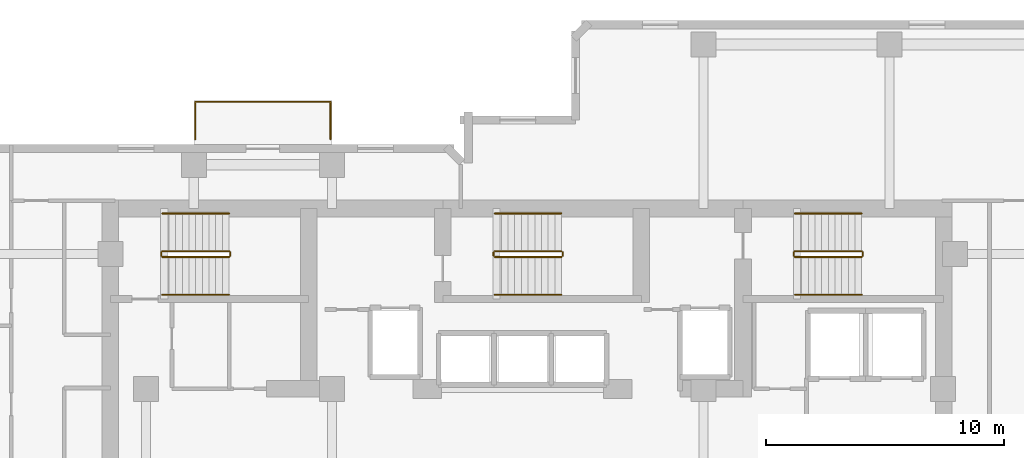
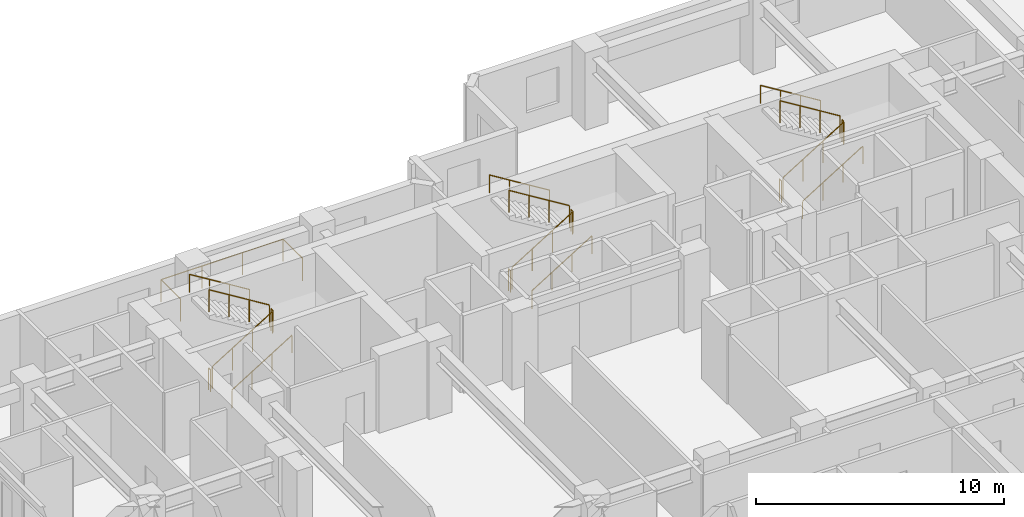
# One storey, part 11 of 11: 19 railings.
"""IFC4 building model written with IfcOpenShell, lengths in metres."""

import ifcopenshell
import ifcopenshell.guid

model = None  # the IFC model being written
_history = None  # IfcOwnerHistory: only IFC2X3 demands one
_inside = {}  # id of a spatial element -> (the spatial element, [elements in it])
_under = {}  # id of a project, library or spatial element -> (it, [spatial elements below it])
_declared = {}  # id of a project -> (the project, [libraries it declares])
_typed = {}  # id of a type object -> (the type object, [elements of that type])
_made_of = {}  # id of a material, layer set ... -> (it, [elements and type objects made of it])


def new_model(schema):
    """Start an empty IFC model of exactly this schema.

    Asked for "IFC4X3", IfcOpenShell would pick the latest addendum, in which some entities
    have other attributes; the version numbers below select the first issue.
    IFC2X3 requires an IfcOwnerHistory on every rooted entity: one is made here for all.
    """
    global model, _history
    if schema == "IFC4X3":
        model = ifcopenshell.file(schema_version=(4, 3, 0, 0))
    else:
        model = ifcopenshell.file(schema=schema)
    _inside.clear()
    _under.clear()
    _declared.clear()
    _typed.clear()
    _made_of.clear()
    _history = None
    if model.schema == "IFC2X3":
        org = make("IfcOrganization", Name="unknown")
        user = make(
            "IfcPersonAndOrganization",
            ThePerson=make("IfcPerson", FamilyName="unknown"),
            TheOrganization=org,
        )
        app = make(
            "IfcApplication",
            ApplicationDeveloper=org,
            Version="unknown",
            ApplicationFullName="unknown",
            ApplicationIdentifier="unknown",
        )
        _history = make(
            "IfcOwnerHistory",
            OwningUser=user,
            OwningApplication=app,
            ChangeAction="ADDED",
            CreationDate=0,
        )
    return model


def make(cls, **values):
    """One entity of the class cls with the attributes given. An attribute that is None is left unset."""
    return model.create_entity(
        cls, **{name: value for name, value in values.items() if value is not None}
    )


def rooted(cls, **values):
    """An entity with a GlobalId (a new one), such as an element, a storey or a relation."""
    return make(cls, GlobalId=ifcopenshell.guid.new(), OwnerHistory=_history, **values)


def si_unit(unit_type, name, prefix=None):
    """IfcSIUnit, for example si_unit("LENGTHUNIT", "METRE", prefix="MILLI")."""
    return make("IfcSIUnit", UnitType=unit_type, Prefix=prefix, Name=name)


def assignment(units):
    """IfcUnitAssignment: the units of a project."""
    return None if units is None else make("IfcUnitAssignment", Units=units)


def point(xyz):
    """IfcCartesianPoint."""
    return None if xyz is None else make("IfcCartesianPoint", Coordinates=xyz)


def direction(xyz):
    """IfcDirection."""
    return None if xyz is None else make("IfcDirection", DirectionRatios=xyz)


def frame(location, z_axis=None, x_axis=None):
    """IfcAxis2Placement3D, a coordinate frame: its origin and axes. An axis left out is left unset."""
    return make(
        "IfcAxis2Placement3D",
        Location=point(location),
        Axis=direction(z_axis),
        RefDirection=direction(x_axis),
    )


def frame_2d(location, x_axis=None):
    """IfcAxis2Placement2D, a coordinate frame in the plane: its origin and x axis."""
    return make(
        "IfcAxis2Placement2D", Location=point(location), RefDirection=direction(x_axis)
    )


def origin():
    """The frame at (0, 0, 0) with its axes left unset."""
    return frame((0.0, 0.0, 0.0))


def origin_2d():
    """The frame at (0, 0) in the plane with its x axis left unset."""
    return frame_2d((0.0, 0.0))


def place(relative_to, where):
    """IfcLocalPlacement: puts the frame where relative to a parent placement (None: the world)."""
    return make(
        "IfcLocalPlacement", PlacementRelTo=relative_to, RelativePlacement=where
    )


def context(
    kind, dimensions, precision=None, world=None, true_north=None, identifier=None
):
    """IfcGeometricRepresentationContext, for example the 3D "Model" context."""
    return make(
        "IfcGeometricRepresentationContext",
        ContextIdentifier=identifier,
        ContextType=kind,
        CoordinateSpaceDimension=dimensions,
        Precision=precision,
        WorldCoordinateSystem=world,
        TrueNorth=true_north,
    )


def subcontext(parent, identifier, kind, view, scale=None):
    """IfcGeometricRepresentationSubContext, for example "Body" below "Model"."""
    return make(
        "IfcGeometricRepresentationSubContext",
        ContextIdentifier=identifier,
        ContextType=kind,
        ParentContext=parent,
        TargetScale=scale,
        TargetView=view,
    )


def project(units=None, contexts=None):
    """IfcProject with its units and contexts."""
    return rooted(
        "IfcProject",
        Name="project",
        RepresentationContexts=contexts,
        UnitsInContext=assignment(units),
    )


def spatial(cls, under=None, at=None, **own):
    """A site, building, storey or space (cls), placed at a placement, below another one or the project."""
    s = rooted(cls, ObjectPlacement=at, **own)
    if under is not None:
        _under.setdefault(under.id(), (under, []))[1].append(s)
    return s


def profile(cls, at=None, kind="AREA", **sizes):
    """A parametric profile (cls). Its sizes go by their IFC names, for example OverallWidth=200.0."""
    return make(cls, ProfileType=kind, Position=at, **sizes)


def circle(**sizes):
    """IfcCircleProfileDef."""
    return profile("IfcCircleProfileDef", **sizes)


def extrude(swept, where, along, depth):
    """IfcExtrudedAreaSolid: the profile swept, set in the frame where, extruded along a direction by depth."""
    return make(
        "IfcExtrudedAreaSolid",
        SweptArea=swept,
        Position=where,
        ExtrudedDirection=direction(along),
        Depth=depth,
    )


def shape(context_of_items, identifier, shape_type, items):
    """IfcShapeRepresentation: the items that make up one representation, for example the "Body"."""
    return make(
        "IfcShapeRepresentation",
        ContextOfItems=context_of_items,
        RepresentationIdentifier=identifier,
        RepresentationType=shape_type,
        Items=items,
    )


def material(Name=None, Category=None):
    """IfcMaterial."""
    return make("IfcMaterial", Name=Name, Category=Category)


def made_of(thing, what):
    """Note that an element or type object is made of a material, layer set ...; save() writes the relation."""
    if what is not None:
        _made_of.setdefault(what.id(), (what, []))[1].append(thing)
    return thing


def type_object(cls, material=None, **own):
    """A type object (cls), such as IfcWallType, which elements share."""
    return made_of(rooted(cls, **own), material)


def element(
    cls,
    number,
    at=None,
    inside=None,
    cuts=None,
    type_object=None,
    material=None,
    context=None,
    identifier="Body",
    shape_type=None,
    held_by="IfcProductDefinitionShape",
    body=None,
    shapes=None,
    **own,
):
    """One element of the class cls, such as IfcWall. Its Tag is "e" and its number.

    at: its placement. inside: the storey or other place that contains it. cuts: it is an
    opening in that element (IfcRelVoidsElement). A single representation is given by context,
    identifier, shape_type and body (its items); several are given by shapes. held_by: the class
    of the entity that holds the representations. save() writes the other relations.
    """
    e = rooted(cls, Tag="e%d" % number, ObjectPlacement=at, **own)
    if body is not None:
        shapes = [shape(context, identifier, shape_type, body)]
    if shapes is not None:
        e.Representation = make(held_by, Representations=shapes)
    if inside is not None:
        _inside.setdefault(inside.id(), (inside, []))[1].append(e)
    if cuts is not None:
        rooted(
            "IfcRelVoidsElement", RelatingBuildingElement=cuts, RelatedOpeningElement=e
        )
    if type_object is not None:
        _typed.setdefault(type_object.id(), (type_object, []))[1].append(e)
    return made_of(e, material)


def aggregate(whole, parts):
    """IfcRelAggregates: a whole, such as a stair, and the parts it consists of."""
    return rooted("IfcRelAggregates", RelatingObject=whole, RelatedObjects=parts)


def save(model, path):
    """Write the relations noted so far, then the file.

    IfcRelAggregates (storeys below a building ...), IfcRelContainedInSpatialStructure (elements
    in a storey), IfcRelDefinesByType, IfcRelAssociatesMaterial and IfcRelDeclares: one each for
    every whole, place, type object, material and project.
    """
    for whole, parts in _under.values():
        aggregate(whole, parts)
    for where, things in _inside.values():
        rooted(
            "IfcRelContainedInSpatialStructure",
            RelatedElements=things,
            RelatingStructure=where,
        )
    for kind, things in _typed.values():
        rooted("IfcRelDefinesByType", RelatedObjects=things, RelatingType=kind)
    for what, things in _made_of.values():
        rooted("IfcRelAssociatesMaterial", RelatedObjects=things, RelatingMaterial=what)
    for by, libraries in _declared.values():
        rooted("IfcRelDeclares", RelatingContext=by, RelatedDefinitions=libraries)
    model.write(path)


model = new_model("IFC4")

# Units and contexts
model_context = context("Model", 3, precision=1e-05, world=origin(), true_north=direction((0.0, 1.0)))
body_context = subcontext(model_context, "Body", "Model", "MODEL_VIEW")
ifc_project = project(units=[si_unit("LENGTHUNIT", "METRE"), si_unit("AREAUNIT", "SQUARE_METRE"), si_unit("VOLUMEUNIT", "CUBIC_METRE"), si_unit("PLANEANGLEUNIT", "RADIAN"), si_unit("MASSUNIT", "GRAM", prefix="KILO")], contexts=[model_context])

# Site, building, storey
site_placement = place(None, origin())
site = spatial("IfcSite", under=ifc_project, at=site_placement, CompositionType="ELEMENT")
building_placement = place(site_placement, origin())
building = spatial("IfcBuilding", under=site, at=building_placement, Name="Kestravale Grand Hotel", CompositionType="ELEMENT")
storey_placement = place(building_placement, frame((0.0, 0.0, 180.199951171875)))
storey = spatial("IfcBuildingStorey", under=building, at=storey_placement, Name="L45", CompositionType="ELEMENT", Elevation=180.199951171875)

# Railings
ifc_material_1 = material(Name="Champagne-bronze stainless steel and laminated glass guard", Category="steel")
railing_type_1 = type_object("IfcRailingType", Name="RL-EXT-1100", PredefinedType="GUARDRAIL", material=ifc_material_1)
railing_1_placement = place(storey_placement, frame((25.4599609375, 43.219970703125, 0.0)))
element("IfcRailing", 1, at=railing_1_placement, inside=storey, type_object=railing_type_1, Name="L45 outdoor terrace guard 1", PredefinedType="GUARDRAIL", context=body_context, shape_type="SweptSolid", body=[
    extrude(circle(Radius=0.02392578125, at=origin_2d()), frame((0.0, 0.0, 1.09619140625), z_axis=(0.0, 1.0, 0.0), x_axis=(-1.0, 0.0, 0.0)), (0.0, 0.0, 1.0), 1.570068359375),
    extrude(circle(Radius=0.02392578125, at=origin_2d()), frame((0.0, 1.570068359375, 1.09619140625), z_axis=(1.0, 0.0, 0.0), x_axis=(0.0, 1.0, 0.0)), (0.0, 0.0, 1.0), 5.679931640625),
    extrude(circle(Radius=0.02392578125, at=origin_2d()), frame((5.679931640625, 1.570068359375, 1.09619140625), z_axis=(0.0, -1.0, 0.0), x_axis=(1.0, 0.0, 0.0)), (0.0, 0.0, 1.0), 1.570068359375),
    extrude(circle(Radius=0.02099609375, at=origin_2d()), origin(), (0.0, 0.0, 1.0), 1.072021484375),
    extrude(circle(Radius=0.02099609375, at=origin_2d()), frame((0.0, 1.570068359375, 0.0)), (0.0, 0.0, 1.0), 1.072021484375),
    extrude(circle(Radius=0.02099609375, at=origin_2d()), frame((1.893310546875, 1.570068359375, 0.0)), (0.0, 0.0, 1.0), 1.072021484375),
    extrude(circle(Radius=0.02099609375, at=origin_2d()), frame((3.78662109375, 1.570068359375, 0.0)), (0.0, 0.0, 1.0), 1.072021484375),
    extrude(circle(Radius=0.02099609375, at=origin_2d()), frame((5.679931640625, 1.570068359375, 0.0)), (0.0, 0.0, 1.0), 1.072021484375),
    extrude(circle(Radius=0.02099609375, at=origin_2d()), frame((5.679931640625, 0.0, 0.0)), (0.0, 0.0, 1.0), 1.072021484375),
])
ifc_material_2 = material(Name="Painted tubular steel stair well guard", Category="steel")
railing_type_2 = type_object("IfcRailingType", Name="RL-ST-GRD1100", PredefinedType="GUARDRAIL", material=ifc_material_2)
railing_2_placement = place(storey_placement, frame((24.080078125, 38.280029296875, 0.1728515625)))
element("IfcRailing", 2, at=railing_2_placement, inside=storey, type_object=railing_type_2, Name="L45 ST-1 stair guard 1", PredefinedType="GUARDRAIL", context=body_context, shape_type="SweptSolid", body=[
    extrude(circle(Radius=0.02392578125, at=origin_2d()), frame((0.0, 0.0, 1.076171875), z_axis=(0.851069175582, 0.0, 0.525053576669), x_axis=(0.0, 1.0, 0.0)), (0.0, 0.0, 1.0), 3.289794921875),
    extrude(circle(Radius=0.02099609375, at=origin_2d()), origin(), (0.0, 0.0, 1.0), 1.052001953125),
    extrude(circle(Radius=0.02099609375, at=origin_2d()), frame((0.933349609375, 0.0, 0.57568359375)), (0.0, 0.0, 1.0), 1.052001953125),
    extrude(circle(Radius=0.02099609375, at=origin_2d()), frame((1.866455078125, 0.0, 1.151611328125)), (0.0, 0.0, 1.0), 1.052001953125),
    extrude(circle(Radius=0.02099609375, at=origin_2d()), frame((2.7998046875, 0.0, 1.727294921875)), (0.0, 0.0, 1.0), 1.052001953125),
])
railing_3_placement = place(storey_placement, frame((26.929931640625, 38.330078125, 1.900146484375)))
element("IfcRailing", 3, at=railing_3_placement, inside=storey, type_object=railing_type_2, Name="L45 ST-1 stair guard 2", PredefinedType="GUARDRAIL", context=body_context, shape_type="SweptSolid", body=[
    extrude(circle(Radius=0.02392578125, at=origin_2d()), frame((0.0, 0.0, 1.076171875), z_axis=(0.0, 1.0, 0.0), x_axis=(-1.0, 0.0, 0.0)), (0.0, 0.0, 1.0), 0.14990234375),
    extrude(circle(Radius=0.02099609375, at=origin_2d()), origin(), (0.0, 0.0, 1.0), 1.052001953125),
    extrude(circle(Radius=0.02099609375, at=origin_2d()), frame((0.0, 0.14990234375, 0.0)), (0.0, 0.0, 1.0), 1.052001953125),
])
railing_4_placement = place(storey_placement, frame((26.8798828125, 38.530029296875, 2.07275390625)))
element("IfcRailing", 4, at=railing_4_placement, inside=storey, type_object=railing_type_2, Name="L45 ST-1 stair guard 3", PredefinedType="GUARDRAIL", context=body_context, shape_type="SweptSolid", body=[
    extrude(circle(Radius=0.02392578125, at=origin_2d()), frame((0.0, 0.0, 1.076171875), z_axis=(-0.851069175582, 0.0, 0.525053576669), x_axis=(0.0, -1.0, 0.0)), (0.0, 0.0, 1.0), 3.289794921875),
    extrude(circle(Radius=0.02099609375, at=origin_2d()), origin(), (0.0, 0.0, 1.0), 1.052001953125),
    extrude(circle(Radius=0.02099609375, at=origin_2d()), frame((-0.933349609375, 0.0, 0.57568359375)), (0.0, 0.0, 1.0), 1.052001953125),
    extrude(circle(Radius=0.02099609375, at=origin_2d()), frame((-1.866455078125, 0.0, 1.151611328125)), (0.0, 0.0, 1.0), 1.052001953125),
    extrude(circle(Radius=0.02099609375, at=origin_2d()), frame((-2.7998046875, 0.0, 1.727294921875)), (0.0, 0.0, 1.0), 1.052001953125),
])
railing_5_placement = place(storey_placement, frame((24.030029296875, 38.330078125, 0.0)))
element("IfcRailing", 5, at=railing_5_placement, inside=storey, type_object=railing_type_2, Name="L45 ST-1 stair guard 4", PredefinedType="GUARDRAIL", context=body_context, shape_type="SweptSolid", body=[
    extrude(circle(Radius=0.02392578125, at=origin_2d()), frame((0.0, 0.0, 1.076171875), z_axis=(0.0, 1.0, 0.0), x_axis=(-1.0, 0.0, 0.0)), (0.0, 0.0, 1.0), 0.14990234375),
    extrude(circle(Radius=0.02099609375, at=origin_2d()), origin(), (0.0, 0.0, 1.0), 1.052001953125),
    extrude(circle(Radius=0.02099609375, at=origin_2d()), frame((0.0, 0.14990234375, 0.0)), (0.0, 0.0, 1.0), 1.052001953125),
])
railing_6_placement = place(storey_placement, frame((38.030029296875, 38.280029296875, 0.1728515625)))
element("IfcRailing", 6, at=railing_6_placement, inside=storey, type_object=railing_type_2, Name="L45 ST-2 stair guard 1", PredefinedType="GUARDRAIL", context=body_context, shape_type="SweptSolid", body=[
    extrude(circle(Radius=0.02392578125, at=origin_2d()), frame((0.0, 0.0, 1.076171875), z_axis=(0.851089632645, 0.0, 0.525020415988), x_axis=(0.0, 1.0, 0.0)), (0.0, 0.0, 1.0), 3.2900390625),
    extrude(circle(Radius=0.02099609375, at=origin_2d()), origin(), (0.0, 0.0, 1.0), 1.052001953125),
    extrude(circle(Radius=0.02099609375, at=origin_2d()), frame((0.933349609375, 0.0, 0.57568359375)), (0.0, 0.0, 1.0), 1.052001953125),
    extrude(circle(Radius=0.02099609375, at=origin_2d()), frame((1.86669921875, 0.0, 1.151611328125)), (0.0, 0.0, 1.0), 1.052001953125),
    extrude(circle(Radius=0.02099609375, at=origin_2d()), frame((2.800048828125, 0.0, 1.727294921875)), (0.0, 0.0, 1.0), 1.052001953125),
])
railing_7_placement = place(storey_placement, frame((40.8798828125, 38.330078125, 1.900146484375)))
element("IfcRailing", 7, at=railing_7_placement, inside=storey, type_object=railing_type_2, Name="L45 ST-2 stair guard 2", PredefinedType="GUARDRAIL", context=body_context, shape_type="SweptSolid", body=[
    extrude(circle(Radius=0.02392578125, at=origin_2d()), frame((0.0, 0.0, 1.076171875), z_axis=(0.0, 1.0, 0.0), x_axis=(-1.0, 0.0, 0.0)), (0.0, 0.0, 1.0), 0.14990234375),
    extrude(circle(Radius=0.02099609375, at=origin_2d()), origin(), (0.0, 0.0, 1.0), 1.052001953125),
    extrude(circle(Radius=0.02099609375, at=origin_2d()), frame((0.0, 0.14990234375, 0.0)), (0.0, 0.0, 1.0), 1.052001953125),
])
railing_8_placement = place(storey_placement, frame((40.830078125, 38.530029296875, 2.07275390625)))
element("IfcRailing", 8, at=railing_8_placement, inside=storey, type_object=railing_type_2, Name="L45 ST-2 stair guard 3", PredefinedType="GUARDRAIL", context=body_context, shape_type="SweptSolid", body=[
    extrude(circle(Radius=0.02392578125, at=origin_2d()), frame((0.0, 0.0, 1.076171875), z_axis=(-0.851089632645, 0.0, 0.525020415988), x_axis=(0.0, -1.0, 0.0)), (0.0, 0.0, 1.0), 3.2900390625),
    extrude(circle(Radius=0.02099609375, at=origin_2d()), origin(), (0.0, 0.0, 1.0), 1.052001953125),
    extrude(circle(Radius=0.02099609375, at=origin_2d()), frame((-0.933349609375, 0.0, 0.57568359375)), (0.0, 0.0, 1.0), 1.052001953125),
    extrude(circle(Radius=0.02099609375, at=origin_2d()), frame((-1.86669921875, 0.0, 1.151611328125)), (0.0, 0.0, 1.0), 1.052001953125),
    extrude(circle(Radius=0.02099609375, at=origin_2d()), frame((-2.800048828125, 0.0, 1.727294921875)), (0.0, 0.0, 1.0), 1.052001953125),
])
railing_9_placement = place(storey_placement, frame((37.97998046875, 38.330078125, 0.0)))
element("IfcRailing", 9, at=railing_9_placement, inside=storey, type_object=railing_type_2, Name="L45 ST-2 stair guard 4", PredefinedType="GUARDRAIL", context=body_context, shape_type="SweptSolid", body=[
    extrude(circle(Radius=0.02392578125, at=origin_2d()), frame((0.0, 0.0, 1.076171875), z_axis=(0.0, 1.0, 0.0), x_axis=(-1.0, 0.0, 0.0)), (0.0, 0.0, 1.0), 0.14990234375),
    extrude(circle(Radius=0.02099609375, at=origin_2d()), origin(), (0.0, 0.0, 1.0), 1.052001953125),
    extrude(circle(Radius=0.02099609375, at=origin_2d()), frame((0.0, 0.14990234375, 0.0)), (0.0, 0.0, 1.0), 1.052001953125),
])
railing_10_placement = place(storey_placement, frame((50.6298828125, 38.280029296875, 0.1728515625)))
element("IfcRailing", 10, at=railing_10_placement, inside=storey, type_object=railing_type_2, Name="L45 ST-3 stair guard 1", PredefinedType="GUARDRAIL", context=body_context, shape_type="SweptSolid", body=[
    extrude(circle(Radius=0.02392578125, at=origin_2d()), frame((0.0, 0.0, 1.076171875), z_axis=(0.851089632645, 0.0, 0.525020415988), x_axis=(0.0, 1.0, 0.0)), (0.0, 0.0, 1.0), 3.2900390625),
    extrude(circle(Radius=0.02099609375, at=origin_2d()), origin(), (0.0, 0.0, 1.0), 1.052001953125),
    extrude(circle(Radius=0.02099609375, at=origin_2d()), frame((0.933349609375, 0.0, 0.57568359375)), (0.0, 0.0, 1.0), 1.052001953125),
    extrude(circle(Radius=0.02099609375, at=origin_2d()), frame((1.86669921875, 0.0, 1.151611328125)), (0.0, 0.0, 1.0), 1.052001953125),
    extrude(circle(Radius=0.02099609375, at=origin_2d()), frame((2.800048828125, 0.0, 1.727294921875)), (0.0, 0.0, 1.0), 1.052001953125),
])
railing_11_placement = place(storey_placement, frame((53.47998046875, 38.330078125, 1.900146484375)))
element("IfcRailing", 11, at=railing_11_placement, inside=storey, type_object=railing_type_2, Name="L45 ST-3 stair guard 2", PredefinedType="GUARDRAIL", context=body_context, shape_type="SweptSolid", body=[
    extrude(circle(Radius=0.02392578125, at=origin_2d()), frame((0.0, 0.0, 1.076171875), z_axis=(0.0, 1.0, 0.0), x_axis=(-1.0, 0.0, 0.0)), (0.0, 0.0, 1.0), 0.14990234375),
    extrude(circle(Radius=0.02099609375, at=origin_2d()), origin(), (0.0, 0.0, 1.0), 1.052001953125),
    extrude(circle(Radius=0.02099609375, at=origin_2d()), frame((0.0, 0.14990234375, 0.0)), (0.0, 0.0, 1.0), 1.052001953125),
])
railing_12_placement = place(storey_placement, frame((53.429931640625, 38.530029296875, 2.07275390625)))
element("IfcRailing", 12, at=railing_12_placement, inside=storey, type_object=railing_type_2, Name="L45 ST-3 stair guard 3", PredefinedType="GUARDRAIL", context=body_context, shape_type="SweptSolid", body=[
    extrude(circle(Radius=0.02392578125, at=origin_2d()), frame((0.0, 0.0, 1.076171875), z_axis=(-0.851089632645, 0.0, 0.525020415988), x_axis=(0.0, -1.0, 0.0)), (0.0, 0.0, 1.0), 3.2900390625),
    extrude(circle(Radius=0.02099609375, at=origin_2d()), origin(), (0.0, 0.0, 1.0), 1.052001953125),
    extrude(circle(Radius=0.02099609375, at=origin_2d()), frame((-0.933349609375, 0.0, 0.57568359375)), (0.0, 0.0, 1.0), 1.052001953125),
    extrude(circle(Radius=0.02099609375, at=origin_2d()), frame((-1.86669921875, 0.0, 1.151611328125)), (0.0, 0.0, 1.0), 1.052001953125),
    extrude(circle(Radius=0.02099609375, at=origin_2d()), frame((-2.800048828125, 0.0, 1.727294921875)), (0.0, 0.0, 1.0), 1.052001953125),
])
railing_13_placement = place(storey_placement, frame((50.580078125, 38.330078125, 0.0)))
element("IfcRailing", 13, at=railing_13_placement, inside=storey, type_object=railing_type_2, Name="L45 ST-3 stair guard 4", PredefinedType="GUARDRAIL", context=body_context, shape_type="SweptSolid", body=[
    extrude(circle(Radius=0.02392578125, at=origin_2d()), frame((0.0, 0.0, 1.076171875), z_axis=(0.0, 1.0, 0.0), x_axis=(-1.0, 0.0, 0.0)), (0.0, 0.0, 1.0), 0.14990234375),
    extrude(circle(Radius=0.02099609375, at=origin_2d()), origin(), (0.0, 0.0, 1.0), 1.052001953125),
    extrude(circle(Radius=0.02099609375, at=origin_2d()), frame((0.0, 0.14990234375, 0.0)), (0.0, 0.0, 1.0), 1.052001953125),
])
ifc_material_3 = material(Name="Brushed stainless steel wall handrail", Category="steel")
railing_type_3 = type_object("IfcRailingType", Name="RL-ST-HND900", PredefinedType="HANDRAIL", material=ifc_material_3)
railing_14_placement = place(storey_placement, frame((24.080078125, 36.699951171875, 0.1728515625)))
element("IfcRailing", 14, at=railing_14_placement, inside=storey, type_object=railing_type_3, Name="L45 ST-1 stair handrail 1", PredefinedType="HANDRAIL", context=body_context, shape_type="SweptSolid", body=[
    extrude(circle(Radius=0.02392578125, at=origin_2d()), frame((0.0, 0.0, 0.8759765625), z_axis=(0.851069175582, 0.0, 0.525053576669), x_axis=(0.0, 1.0, 0.0)), (0.0, 0.0, 1.0), 3.289794921875),
    extrude(circle(Radius=0.02099609375, at=origin_2d()), origin(), (0.0, 0.0, 1.0), 0.851806640625),
    extrude(circle(Radius=0.02099609375, at=origin_2d()), frame((0.933349609375, 0.0, 0.57568359375)), (0.0, 0.0, 1.0), 0.851806640625),
    extrude(circle(Radius=0.02099609375, at=origin_2d()), frame((1.866455078125, 0.0, 1.151611328125)), (0.0, 0.0, 1.0), 0.851806640625),
    extrude(circle(Radius=0.02099609375, at=origin_2d()), frame((2.7998046875, 0.0, 1.727294921875)), (0.0, 0.0, 1.0), 0.851806640625),
])
railing_15_placement = place(storey_placement, frame((26.8798828125, 40.110107421875, 2.07275390625)))
element("IfcRailing", 15, at=railing_15_placement, inside=storey, type_object=railing_type_3, Name="L45 ST-1 stair handrail 2", PredefinedType="HANDRAIL", context=body_context, shape_type="SweptSolid", body=[
    extrude(circle(Radius=0.02392578125, at=origin_2d()), frame((0.0, 0.0, 0.8759765625), z_axis=(-0.851069175582, 0.0, 0.525053576669), x_axis=(0.0, -1.0, 0.0)), (0.0, 0.0, 1.0), 3.289794921875),
    extrude(circle(Radius=0.02099609375, at=origin_2d()), origin(), (0.0, 0.0, 1.0), 0.851806640625),
    extrude(circle(Radius=0.02099609375, at=origin_2d()), frame((-0.933349609375, 0.0, 0.57568359375)), (0.0, 0.0, 1.0), 0.851806640625),
    extrude(circle(Radius=0.02099609375, at=origin_2d()), frame((-1.866455078125, 0.0, 1.151611328125)), (0.0, 0.0, 1.0), 0.851806640625),
    extrude(circle(Radius=0.02099609375, at=origin_2d()), frame((-2.7998046875, 0.0, 1.727294921875)), (0.0, 0.0, 1.0), 0.851806640625),
])
railing_16_placement = place(storey_placement, frame((38.030029296875, 36.699951171875, 0.1728515625)))
element("IfcRailing", 16, at=railing_16_placement, inside=storey, type_object=railing_type_3, Name="L45 ST-2 stair handrail 1", PredefinedType="HANDRAIL", context=body_context, shape_type="SweptSolid", body=[
    extrude(circle(Radius=0.02392578125, at=origin_2d()), frame((0.0, 0.0, 0.8759765625), z_axis=(0.851089632645, 0.0, 0.525020415988), x_axis=(0.0, 1.0, 0.0)), (0.0, 0.0, 1.0), 3.2900390625),
    extrude(circle(Radius=0.02099609375, at=origin_2d()), origin(), (0.0, 0.0, 1.0), 0.851806640625),
    extrude(circle(Radius=0.02099609375, at=origin_2d()), frame((0.933349609375, 0.0, 0.57568359375)), (0.0, 0.0, 1.0), 0.851806640625),
    extrude(circle(Radius=0.02099609375, at=origin_2d()), frame((1.86669921875, 0.0, 1.151611328125)), (0.0, 0.0, 1.0), 0.851806640625),
    extrude(circle(Radius=0.02099609375, at=origin_2d()), frame((2.800048828125, 0.0, 1.727294921875)), (0.0, 0.0, 1.0), 0.851806640625),
])
railing_17_placement = place(storey_placement, frame((40.830078125, 40.110107421875, 2.07275390625)))
element("IfcRailing", 17, at=railing_17_placement, inside=storey, type_object=railing_type_3, Name="L45 ST-2 stair handrail 2", PredefinedType="HANDRAIL", context=body_context, shape_type="SweptSolid", body=[
    extrude(circle(Radius=0.02392578125, at=origin_2d()), frame((0.0, 0.0, 0.8759765625), z_axis=(-0.851089632645, 0.0, 0.525020415988), x_axis=(0.0, -1.0, 0.0)), (0.0, 0.0, 1.0), 3.2900390625),
    extrude(circle(Radius=0.02099609375, at=origin_2d()), origin(), (0.0, 0.0, 1.0), 0.851806640625),
    extrude(circle(Radius=0.02099609375, at=origin_2d()), frame((-0.933349609375, 0.0, 0.57568359375)), (0.0, 0.0, 1.0), 0.851806640625),
    extrude(circle(Radius=0.02099609375, at=origin_2d()), frame((-1.86669921875, 0.0, 1.151611328125)), (0.0, 0.0, 1.0), 0.851806640625),
    extrude(circle(Radius=0.02099609375, at=origin_2d()), frame((-2.800048828125, 0.0, 1.727294921875)), (0.0, 0.0, 1.0), 0.851806640625),
])
railing_18_placement = place(storey_placement, frame((50.6298828125, 36.699951171875, 0.1728515625)))
element("IfcRailing", 18, at=railing_18_placement, inside=storey, type_object=railing_type_3, Name="L45 ST-3 stair handrail 1", PredefinedType="HANDRAIL", context=body_context, shape_type="SweptSolid", body=[
    extrude(circle(Radius=0.02392578125, at=origin_2d()), frame((0.0, 0.0, 0.8759765625), z_axis=(0.851089632645, 0.0, 0.525020415988), x_axis=(0.0, 1.0, 0.0)), (0.0, 0.0, 1.0), 3.2900390625),
    extrude(circle(Radius=0.02099609375, at=origin_2d()), origin(), (0.0, 0.0, 1.0), 0.851806640625),
    extrude(circle(Radius=0.02099609375, at=origin_2d()), frame((0.933349609375, 0.0, 0.57568359375)), (0.0, 0.0, 1.0), 0.851806640625),
    extrude(circle(Radius=0.02099609375, at=origin_2d()), frame((1.86669921875, 0.0, 1.151611328125)), (0.0, 0.0, 1.0), 0.851806640625),
    extrude(circle(Radius=0.02099609375, at=origin_2d()), frame((2.800048828125, 0.0, 1.727294921875)), (0.0, 0.0, 1.0), 0.851806640625),
])
railing_19_placement = place(storey_placement, frame((53.429931640625, 40.110107421875, 2.07275390625)))
element("IfcRailing", 19, at=railing_19_placement, inside=storey, type_object=railing_type_3, Name="L45 ST-3 stair handrail 2", PredefinedType="HANDRAIL", context=body_context, shape_type="SweptSolid", body=[
    extrude(circle(Radius=0.02392578125, at=origin_2d()), frame((0.0, 0.0, 0.8759765625), z_axis=(-0.851089632645, 0.0, 0.525020415988), x_axis=(0.0, -1.0, 0.0)), (0.0, 0.0, 1.0), 3.2900390625),
    extrude(circle(Radius=0.02099609375, at=origin_2d()), origin(), (0.0, 0.0, 1.0), 0.851806640625),
    extrude(circle(Radius=0.02099609375, at=origin_2d()), frame((-0.933349609375, 0.0, 0.57568359375)), (0.0, 0.0, 1.0), 0.851806640625),
    extrude(circle(Radius=0.02099609375, at=origin_2d()), frame((-1.86669921875, 0.0, 1.151611328125)), (0.0, 0.0, 1.0), 0.851806640625),
    extrude(circle(Radius=0.02099609375, at=origin_2d()), frame((-2.800048828125, 0.0, 1.727294921875)), (0.0, 0.0, 1.0), 0.851806640625),
])

save(model, "model.ifc")
